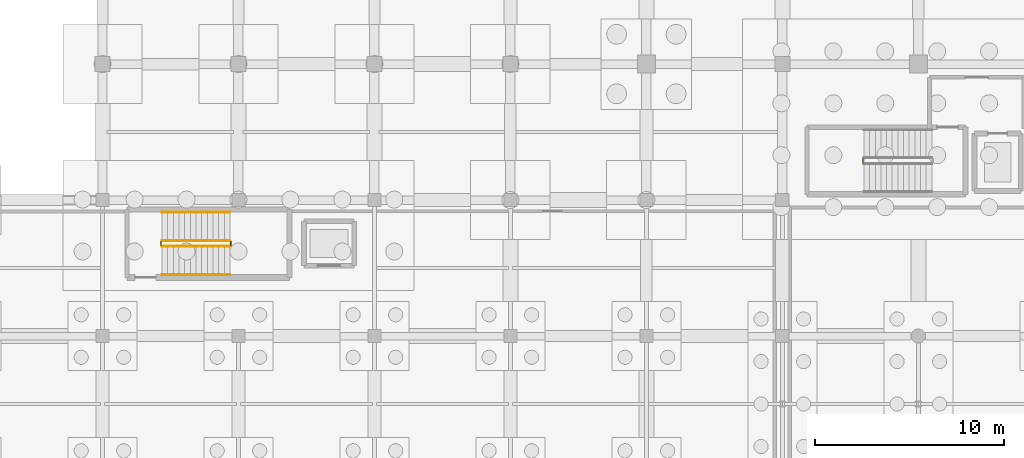
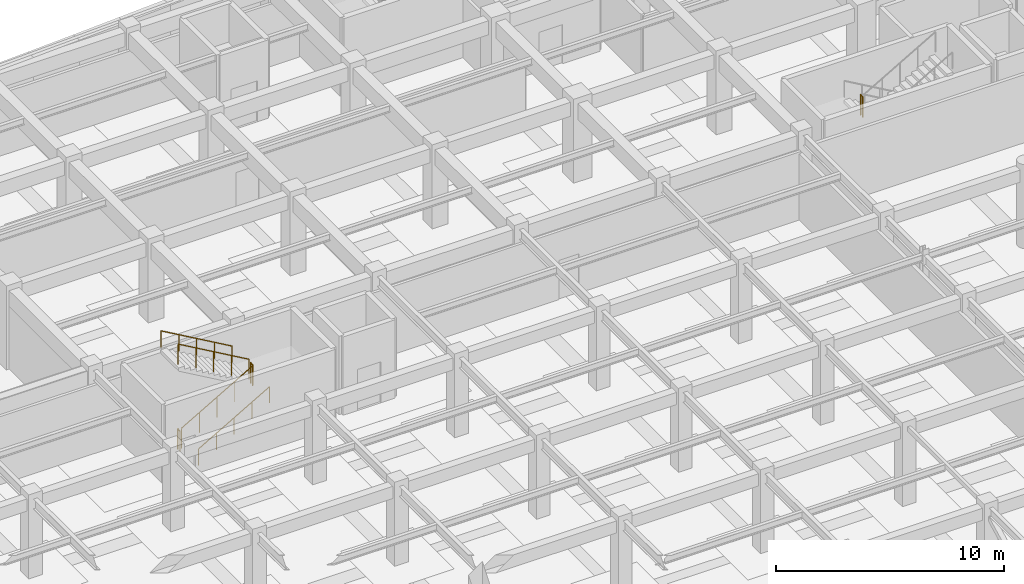
# One storey, part 43 of 48: 7 railings.
"""IFC4 building model written with IfcOpenShell, lengths in metres."""

from ifc_helpers import new_model, si_unit, direction, frame, origin, origin_2d, place, context, subcontext, project, spatial, circle, extrude, material, layer, layer_set, type_object, element, save


model = new_model("IFC4")

# Units and contexts
model_context = context("Model", 3, precision=1e-05, world=origin(), true_north=direction((0.0, 1.0)))
body_context = subcontext(model_context, "Body", "Model", "MODEL_VIEW")
ifc_project = project(units=[si_unit("LENGTHUNIT", "METRE"), si_unit("AREAUNIT", "SQUARE_METRE"), si_unit("VOLUMEUNIT", "CUBIC_METRE"), si_unit("PLANEANGLEUNIT", "RADIAN"), si_unit("MASSUNIT", "GRAM", prefix="KILO")], contexts=[model_context])

# Site, building, storey
site_placement = place(None, origin())
site = spatial("IfcSite", under=ifc_project, at=site_placement, CompositionType="ELEMENT")
building_placement = place(site_placement, origin())
building = spatial("IfcBuilding", under=site, at=building_placement, Name="Carrowvane Square Congress Hotel", CompositionType="ELEMENT")
storey_placement = place(building_placement, frame((0.0, 0.0, -4.5)))
storey = spatial("IfcBuildingStorey", under=building, at=storey_placement, Name="B01", CompositionType="ELEMENT", Elevation=-4.5)

# Railings
ifc_material_1 = material(Name="Stainless steel 316", Category="steel")
ifc_layer_1 = layer(ifc_material_1, 0.048095703125)
ifc_layer_set_1 = layer_set([ifc_layer_1], Name="Stainless steel 316")
railing_type_1 = type_object("IfcRailingType", Name="RLG-HR-900", PredefinedType="HANDRAIL", material=ifc_layer_set_1)
railing_1_placement = place(storey_placement, frame((36.35009765625, 87.85009765625, 0.173095703125)))
element("IfcRailing", 1, at=railing_1_placement, inside=storey, type_object=railing_type_1, Name="B01 ST5 stair handrail 1", PredefinedType="HANDRAIL", context=body_context, shape_type="SweptSolid", body=[
    extrude(circle(Radius=0.02392578125, at=origin_2d()), frame((0.0, 0.0, 0.8759765625), z_axis=(0.866178740119, 0.0, 0.499734319579), x_axis=(0.0, 1.0, 0.0)), (0.0, 0.0, 1.0), 4.156005859375),
    extrude(circle(Radius=0.02099609375, at=origin_2d()), origin(), (0.0, 0.0, 1.0), 0.851806640625),
    extrude(circle(Radius=0.02099609375, at=origin_2d()), frame((0.89990234375, 0.0, 0.519287109375)), (0.0, 0.0, 1.0), 0.851806640625),
    extrude(circle(Radius=0.02099609375, at=origin_2d()), frame((1.7998046875, 0.0, 1.03857421875)), (0.0, 0.0, 1.0), 0.851806640625),
    extrude(circle(Radius=0.02099609375, at=origin_2d()), frame((2.699951171875, 0.0, 1.5576171875)), (0.0, 0.0, 1.0), 0.851806640625),
    extrude(circle(Radius=0.02099609375, at=origin_2d()), frame((3.599853515625, 0.0, 2.076904296875)), (0.0, 0.0, 1.0), 0.851806640625),
])
railing_2_placement = place(storey_placement, frame((39.949951171875, 91.14990234375, 2.423095703125)))
element("IfcRailing", 2, at=railing_2_placement, inside=storey, type_object=railing_type_1, Name="B01 ST5 stair handrail 2", PredefinedType="HANDRAIL", context=body_context, shape_type="SweptSolid", body=[
    extrude(circle(Radius=0.02392578125, at=origin_2d()), frame((0.0, 0.0, 0.8759765625), z_axis=(-0.866178740119, 0.0, 0.499734319579), x_axis=(0.0, -1.0, 0.0)), (0.0, 0.0, 1.0), 4.156005859375),
    extrude(circle(Radius=0.02099609375, at=origin_2d()), origin(), (0.0, 0.0, 1.0), 0.851806640625),
    extrude(circle(Radius=0.02099609375, at=origin_2d()), frame((-0.89990234375, 0.0, 0.519287109375)), (0.0, 0.0, 1.0), 0.851806640625),
    extrude(circle(Radius=0.02099609375, at=origin_2d()), frame((-1.7998046875, 0.0, 1.03857421875)), (0.0, 0.0, 1.0), 0.851806640625),
    extrude(circle(Radius=0.02099609375, at=origin_2d()), frame((-2.699951171875, 0.0, 1.5576171875)), (0.0, 0.0, 1.0), 0.851806640625),
    extrude(circle(Radius=0.02099609375, at=origin_2d()), frame((-3.599853515625, 0.0, 2.076904296875)), (0.0, 0.0, 1.0), 0.851806640625),
])
ifc_material_2 = material(Name="Galvanised steel", Category="steel")
ifc_layer_2 = layer(ifc_material_2, 0.048095703125)
ifc_layer_set_2 = layer_set([ifc_layer_2], Name="Galvanised steel")
railing_type_2 = type_object("IfcRailingType", Name="RLG-STG-1100", PredefinedType="GUARDRAIL", material=ifc_layer_set_2)
railing_3_placement = place(storey_placement, frame((73.469970703125, 93.97998046875, 2.25)))
element("IfcRailing", 3, at=railing_3_placement, inside=storey, type_object=railing_type_2, Name="B01 ST2 stair guard 2", PredefinedType="GUARDRAIL", context=body_context, shape_type="SweptSolid", body=[
    extrude(circle(Radius=0.02392578125, at=origin_2d()), frame((0.0, 0.0, 1.076171875), z_axis=(0.0, -1.0, 0.0), x_axis=(1.0, 0.0, 0.0)), (0.0, 0.0, 1.0), 0.199951171875),
    extrude(circle(Radius=0.02099609375, at=origin_2d()), origin(), (0.0, 0.0, 1.0), 1.052001953125),
    extrude(circle(Radius=0.02099609375, at=origin_2d()), frame((0.0, -0.199951171875, 0.0)), (0.0, 0.0, 1.0), 1.052001953125),
])
railing_4_placement = place(storey_placement, frame((36.35009765625, 89.35009765625, 0.173095703125)))
element("IfcRailing", 4, at=railing_4_placement, inside=storey, type_object=railing_type_2, Name="B01 ST5 stair guard 1", PredefinedType="GUARDRAIL", context=body_context, shape_type="SweptSolid", body=[
    extrude(circle(Radius=0.02392578125, at=origin_2d()), frame((0.0, 0.0, 1.076171875), z_axis=(0.866178740119, 0.0, 0.499734319579), x_axis=(0.0, 1.0, 0.0)), (0.0, 0.0, 1.0), 4.156005859375),
    extrude(circle(Radius=0.02099609375, at=origin_2d()), origin(), (0.0, 0.0, 1.0), 1.052001953125),
    extrude(circle(Radius=0.02099609375, at=origin_2d()), frame((0.89990234375, 0.0, 0.519287109375)), (0.0, 0.0, 1.0), 1.052001953125),
    extrude(circle(Radius=0.02099609375, at=origin_2d()), frame((1.7998046875, 0.0, 1.03857421875)), (0.0, 0.0, 1.0), 1.052001953125),
    extrude(circle(Radius=0.02099609375, at=origin_2d()), frame((2.699951171875, 0.0, 1.5576171875)), (0.0, 0.0, 1.0), 1.052001953125),
    extrude(circle(Radius=0.02099609375, at=origin_2d()), frame((3.599853515625, 0.0, 2.076904296875)), (0.0, 0.0, 1.0), 1.052001953125),
])
railing_5_placement = place(storey_placement, frame((40.0, 89.39990234375, 2.25)))
element("IfcRailing", 5, at=railing_5_placement, inside=storey, type_object=railing_type_2, Name="B01 ST5 stair guard 2", PredefinedType="GUARDRAIL", context=body_context, shape_type="SweptSolid", body=[
    extrude(circle(Radius=0.02392578125, at=origin_2d()), frame((0.0, 0.0, 1.076171875), z_axis=(0.0, 1.0, 0.0), x_axis=(-1.0, 0.0, 0.0)), (0.0, 0.0, 1.0), 0.2001953125),
    extrude(circle(Radius=0.02099609375, at=origin_2d()), origin(), (0.0, 0.0, 1.0), 1.052001953125),
    extrude(circle(Radius=0.02099609375, at=origin_2d()), frame((0.0, 0.2001953125, 0.0)), (0.0, 0.0, 1.0), 1.052001953125),
])
railing_6_placement = place(storey_placement, frame((39.949951171875, 89.64990234375, 2.423095703125)))
element("IfcRailing", 6, at=railing_6_placement, inside=storey, type_object=railing_type_2, Name="B01 ST5 stair guard 3", PredefinedType="GUARDRAIL", context=body_context, shape_type="SweptSolid", body=[
    extrude(circle(Radius=0.02392578125, at=origin_2d()), frame((0.0, 0.0, 1.076171875), z_axis=(-0.866178740119, 0.0, 0.499734319579), x_axis=(0.0, -1.0, 0.0)), (0.0, 0.0, 1.0), 4.156005859375),
    extrude(circle(Radius=0.02099609375, at=origin_2d()), origin(), (0.0, 0.0, 1.0), 1.052001953125),
    extrude(circle(Radius=0.02099609375, at=origin_2d()), frame((-0.89990234375, 0.0, 0.519287109375)), (0.0, 0.0, 1.0), 1.052001953125),
    extrude(circle(Radius=0.02099609375, at=origin_2d()), frame((-1.7998046875, 0.0, 1.03857421875)), (0.0, 0.0, 1.0), 1.052001953125),
    extrude(circle(Radius=0.02099609375, at=origin_2d()), frame((-2.699951171875, 0.0, 1.5576171875)), (0.0, 0.0, 1.0), 1.052001953125),
    extrude(circle(Radius=0.02099609375, at=origin_2d()), frame((-3.599853515625, 0.0, 2.076904296875)), (0.0, 0.0, 1.0), 1.052001953125),
])
railing_7_placement = place(storey_placement, frame((36.300048828125, 89.39990234375, 0.0)))
element("IfcRailing", 7, at=railing_7_placement, inside=storey, type_object=railing_type_2, Name="B01 ST5 stair guard 4", PredefinedType="GUARDRAIL", context=body_context, shape_type="SweptSolid", body=[
    extrude(circle(Radius=0.02392578125, at=origin_2d()), frame((0.0, 0.0, 1.076171875), z_axis=(0.0, 1.0, 0.0), x_axis=(-1.0, 0.0, 0.0)), (0.0, 0.0, 1.0), 0.2001953125),
    extrude(circle(Radius=0.02099609375, at=origin_2d()), origin(), (0.0, 0.0, 1.0), 1.052001953125),
    extrude(circle(Radius=0.02099609375, at=origin_2d()), frame((0.0, 0.2001953125, 0.0)), (0.0, 0.0, 1.0), 1.052001953125),
])

save(model, "model.ifc")
